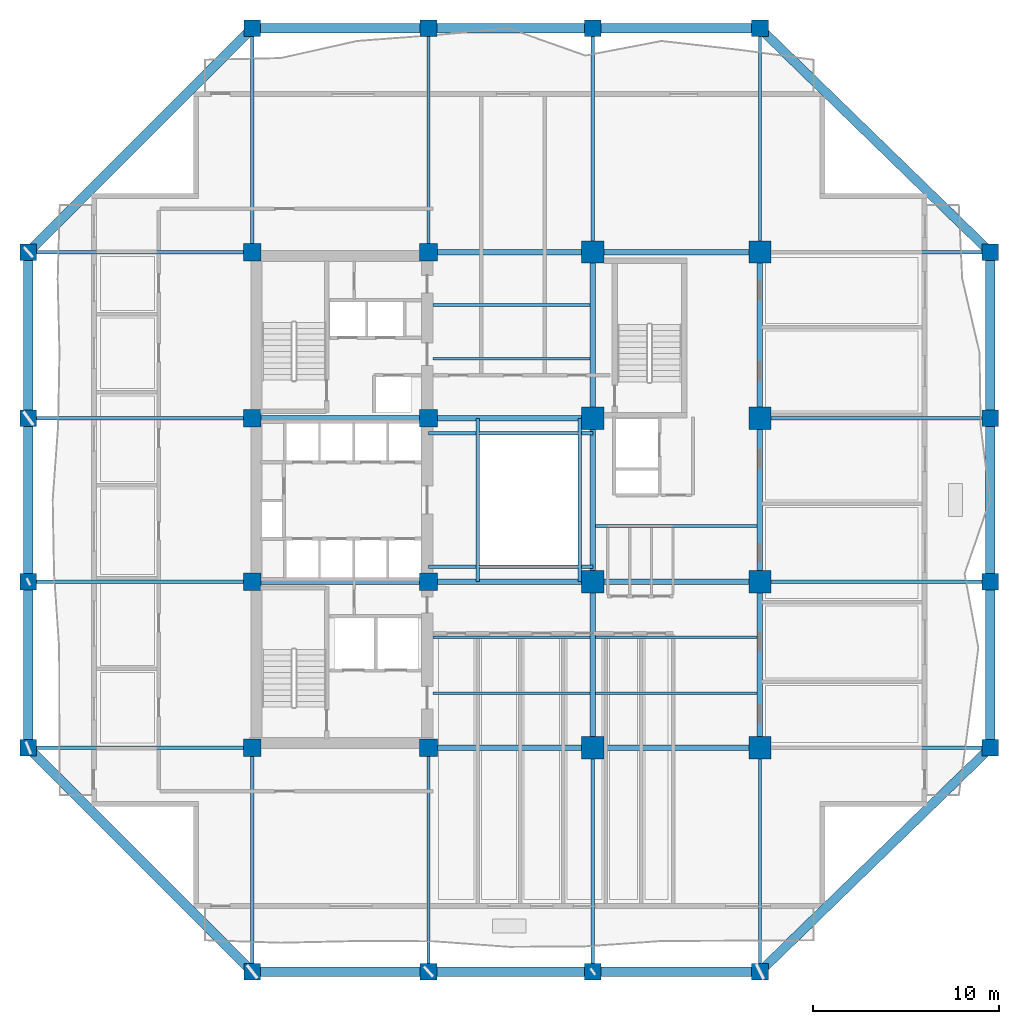
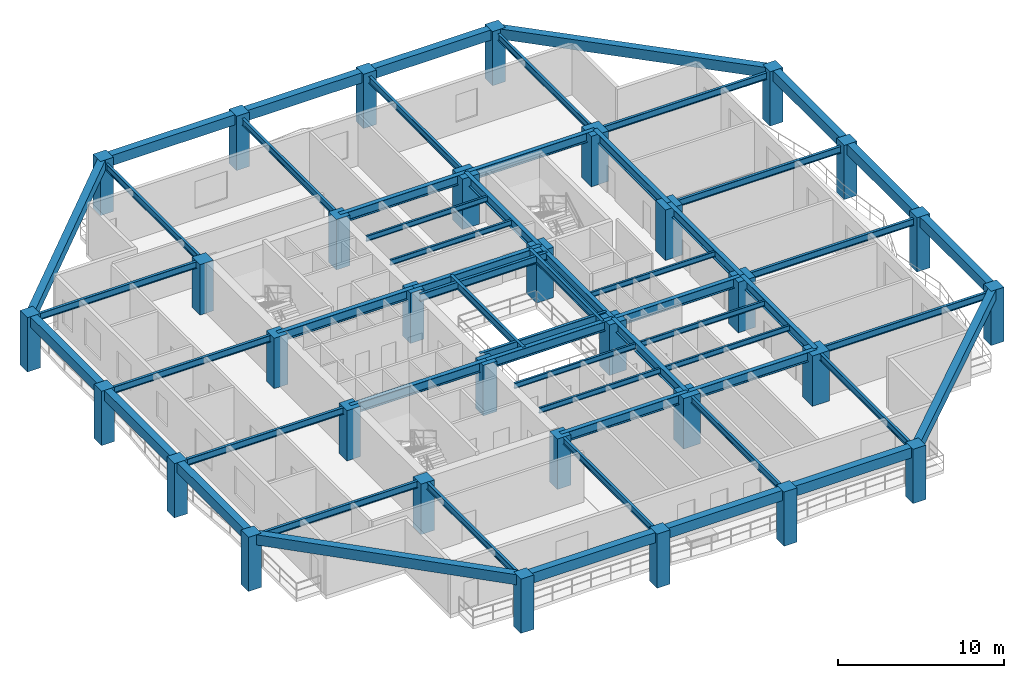
# One storey, part 1 of 14: 58 beams, 32 columns.
"""IFC4 building model written with IfcOpenShell, lengths in metres."""

from ifc_helpers import new_model, si_unit, direction, frame, origin, origin_2d, place, context, subcontext, project, spatial, rectangle, i_section, extrude, material, material_profile, profile_set, type_object, element, save


model = new_model("IFC4")

# Units and contexts
model_context = context("Model", 3, precision=1e-05, world=origin(), true_north=direction((0.0, 1.0)))
body_context = subcontext(model_context, "Body", "Model", "MODEL_VIEW")
ifc_project = project(units=[si_unit("LENGTHUNIT", "METRE"), si_unit("AREAUNIT", "SQUARE_METRE"), si_unit("VOLUMEUNIT", "CUBIC_METRE"), si_unit("PLANEANGLEUNIT", "RADIAN"), si_unit("MASSUNIT", "GRAM", prefix="KILO")], contexts=[model_context])

# Site, building, storey
site_placement = place(None, origin())
site = spatial("IfcSite", under=ifc_project, at=site_placement, CompositionType="ELEMENT")
building_placement = place(site_placement, origin())
building = spatial("IfcBuilding", under=site, at=building_placement, Name="Kundavana Baori Tower", CompositionType="ELEMENT")
storey_placement = place(building_placement, frame((0.0, 0.0, 74.0)))
storey = spatial("IfcBuildingStorey", under=building, at=storey_placement, Name="L17", CompositionType="ELEMENT", Elevation=74.0)

# Columns
ifc_material_1 = material(Name="Concrete C60/75", Category="concrete")
ifc_material_profile_1 = material_profile(ifc_material_1, rectangle(XDim=0.89990234375, YDim=0.89990234375, at=origin_2d()), Name="RC PF 900x900")
ifc_profile_set_1 = profile_set([ifc_material_profile_1], Name="Concrete C60/75")
column_type_1 = type_object("IfcColumnType", Name="COL-PF-900", PredefinedType="COLUMN", material=ifc_profile_set_1)
for number, where, z_axis, x_axis, name in (
    (1, (15.449951171875, 3.199951171875, 0.0), (0.0, 0.0, 1.0), (1.0, 0.0, 0.0), "L17 Stone-Clad Perimeter Frame Column PF-S1"),
    (2, (15.449951171875, 54.0, 0.0), (0.0, 0.0, 1.0), (1.0, 0.0, 0.0), "L17 Stone-Clad Perimeter Frame Column PF-N1"),
    (3, (24.949951171875, 3.199951171875, 0.0), (0.0, 0.0, 1.0), (1.0, 0.0, 0.0), "L17 Stone-Clad Perimeter Frame Column PF-S2"),
    (4, (24.949951171875, 54.0, 0.0), (0.0, 0.0, 1.0), (1.0, 0.0, 0.0), "L17 Stone-Clad Perimeter Frame Column PF-N2"),
    (5, (33.800048828125, 3.199951171875, 0.0), (0.0, 0.0, 1.0), (1.0, 0.0, 0.0), "L17 Stone-Clad Perimeter Frame Column PF-S3"),
    (6, (33.800048828125, 54.0, 0.0), (0.0, 0.0, 1.0), (1.0, 0.0, 0.0), "L17 Stone-Clad Perimeter Frame Column PF-N3"),
    (7, (42.800048828125, 3.199951171875, 0.0), (0.0, 0.0, 1.0), (1.0, 0.0, 0.0), "L17 Stone-Clad Perimeter Frame Column PF-S4"),
    (8, (42.800048828125, 54.0, 0.0), (0.0, 0.0, 1.0), (1.0, 0.0, 0.0), "L17 Stone-Clad Perimeter Frame Column PF-N4"),
    (9, (3.39990234375, 15.25, 0.0), (0.0, 0.0, 1.0), (1.0, 0.0, 0.0), "L17 Stone-Clad Perimeter Frame Column PF-W1"),
    (10, (55.199951171875, 15.25, 0.0), (0.0, 0.0, 1.0), (1.0, 0.0, 0.0), "L17 Stone-Clad Perimeter Frame Column PF-E1"),
    (11, (3.39990234375, 24.199951171875, 0.0), (0.0, 0.0, 1.0), (1.0, 0.0, 0.0), "L17 Stone-Clad Perimeter Frame Column PF-W2"),
    (12, (55.199951171875, 24.199951171875, 0.0), (0.0, 0.0, 1.0), (1.0, 0.0, 0.0), "L17 Stone-Clad Perimeter Frame Column PF-E2"),
    (13, (3.39990234375, 33.0, 0.0), (0.0, 0.0, 1.0), (1.0, 0.0, 0.0), "L17 Stone-Clad Perimeter Frame Column PF-W3"),
    (14, (55.199951171875, 33.0, 0.0), (0.0, 0.0, 1.0), (1.0, 0.0, 0.0), "L17 Stone-Clad Perimeter Frame Column PF-E3"),
    (15, (3.39990234375, 41.949951171875, 0.0), (0.0, 0.0, 1.0), (1.0, 0.0, 0.0), "L17 Stone-Clad Perimeter Frame Column PF-W4"),
    (16, (55.199951171875, 41.949951171875, 0.0), (0.0, 0.0, 1.0), (1.0, 0.0, 0.0), "L17 Stone-Clad Perimeter Frame Column PF-E4"),
):
    element("IfcColumn", number, at=place(storey_placement, frame(where, z_axis=z_axis, x_axis=x_axis)), inside=storey, type_object=column_type_1, Name=name, PredefinedType="COLUMN", context=body_context, shape_type="SweptSolid", body=[
        extrude(rectangle(XDim=0.89990234375, YDim=0.89990234375, at=origin_2d()), origin(), (0.0, 0.0, 1.0), 4.0),
    ])
ifc_material_2 = material(Name="Concrete C60/75", Category="concrete")
ifc_material_profile_2 = material_profile(ifc_material_2, rectangle(XDim=1.199951171875, YDim=1.199951171875, at=origin_2d()), Name="RC 1200x1200")
ifc_profile_set_2 = profile_set([ifc_material_profile_2], Name="Concrete C60/75")
column_type_2 = type_object("IfcColumnType", Name="COL-RC-1200", PredefinedType="COLUMN", material=ifc_profile_set_2)
for number, where, z_axis, x_axis, name in (
    (17, (33.800048828125, 15.25, 0.0), (0.0, 0.0, 1.0), (1.0, 0.0, 0.0), "L17 Interior Column IC-5C"),
    (18, (33.800048828125, 24.199951171875, 0.0), (0.0, 0.0, 1.0), (1.0, 0.0, 0.0), "L17 Interior Column IC-5D"),
    (19, (33.800048828125, 33.0, 0.0), (0.0, 0.0, 1.0), (1.0, 0.0, 0.0), "L17 Interior Column IC-5E"),
    (20, (33.800048828125, 41.949951171875, 0.0), (0.0, 0.0, 1.0), (1.0, 0.0, 0.0), "L17 Interior Column IC-5F"),
    (21, (42.800048828125, 15.25, 0.0), (0.0, 0.0, 1.0), (1.0, 0.0, 0.0), "L17 Interior Column IC-6C"),
    (22, (42.800048828125, 24.199951171875, 0.0), (0.0, 0.0, 1.0), (1.0, 0.0, 0.0), "L17 Interior Column IC-6D"),
    (23, (42.800048828125, 33.0, 0.0), (0.0, 0.0, 1.0), (1.0, 0.0, 0.0), "L17 Interior Column IC-6E"),
    (24, (42.800048828125, 41.949951171875, 0.0), (0.0, 0.0, 1.0), (1.0, 0.0, 0.0), "L17 Interior Column IC-6F"),
):
    element("IfcColumn", number, at=place(storey_placement, frame(where, z_axis=z_axis, x_axis=x_axis)), inside=storey, type_object=column_type_2, Name=name, PredefinedType="COLUMN", context=body_context, shape_type="SweptSolid", body=[
        extrude(rectangle(XDim=1.199951171875, YDim=1.199951171875, at=origin_2d()), origin(), (0.0, 0.0, 1.0), 3.719970703125),
    ])
ifc_material_3 = material(Name="Concrete C50/60", Category="concrete")
ifc_material_profile_3 = material_profile(ifc_material_3, rectangle(XDim=0.949951171875, YDim=0.949951171875, at=origin_2d()), Name="RC 950x950")
ifc_profile_set_3 = profile_set([ifc_material_profile_3], Name="Concrete C50/60")
column_type_3 = type_object("IfcColumnType", Name="COL-RC-950", PredefinedType="COLUMN", material=ifc_profile_set_3)
for number, where, z_axis, x_axis, name in (
    (25, (15.449951171875, 15.25, 0.0), (0.0, 0.0, 1.0), (1.0, 0.0, 0.0), "L17 Interior Column IC-3C"),
    (26, (15.449951171875, 24.199951171875, 0.0), (0.0, 0.0, 1.0), (1.0, 0.0, 0.0), "L17 Interior Column IC-3D"),
    (27, (15.449951171875, 33.0, 0.0), (0.0, 0.0, 1.0), (1.0, 0.0, 0.0), "L17 Interior Column IC-3E"),
    (28, (15.449951171875, 41.949951171875, 0.0), (0.0, 0.0, 1.0), (1.0, 0.0, 0.0), "L17 Interior Column IC-3F"),
    (29, (24.949951171875, 15.25, 0.0), (0.0, 0.0, 1.0), (1.0, 0.0, 0.0), "L17 Interior Column IC-4C"),
    (30, (24.949951171875, 24.199951171875, 0.0), (0.0, 0.0, 1.0), (1.0, 0.0, 0.0), "L17 Interior Column IC-4D"),
    (31, (24.949951171875, 33.0, 0.0), (0.0, 0.0, 1.0), (1.0, 0.0, 0.0), "L17 Interior Column IC-4E"),
    (32, (24.949951171875, 41.949951171875, 0.0), (0.0, 0.0, 1.0), (1.0, 0.0, 0.0), "L17 Interior Column IC-4F"),
):
    element("IfcColumn", number, at=place(storey_placement, frame(where, z_axis=z_axis, x_axis=x_axis)), inside=storey, type_object=column_type_3, Name=name, PredefinedType="COLUMN", context=body_context, shape_type="SweptSolid", body=[
        extrude(rectangle(XDim=0.949951171875, YDim=0.949951171875, at=origin_2d()), origin(), (0.0, 0.0, 1.0), 3.719970703125),
    ])

# Beams
ifc_material_4 = material(Name="Structural Steel S355JR", Category="steel")
ifc_material_profile_4 = material_profile(ifc_material_4, i_section(OverallWidth=0.139892578125, OverallDepth=0.39990234375, WebThickness=0.0087890625, FlangeThickness=0.01611328125, FilletRadius=0.013916015625, at=origin_2d()), Name="ISMB 400")
ifc_profile_set_4 = profile_set([ifc_material_profile_4], Name="Structural Steel S355JR")
beam_type_1 = type_object("IfcBeamType", Name="BM-JST-400", PredefinedType="JOIST", material=ifc_profile_set_4)
for number, where, z_axis, x_axis, name in (
    (33, (25.179931640625, 18.199951171875, 3.52001953125), (1.0, 0.0, 0.0), (0.0, 1.0, 0.0), "L17 Central Bay Composite Floor Joist C1"),
    (34, (25.179931640625, 21.199951171875, 3.52001953125), (1.0, 0.0, 0.0), (0.0, 1.0, 0.0), "L17 Central Bay Composite Floor Joist C2"),
    (35, (25.179931640625, 36.199951171875, 3.52001953125), (1.0, 0.0, 0.0), (0.0, 1.0, 0.0), "L17 Central Bay Composite Floor Joist C3"),
    (36, (25.179931640625, 39.10009765625, 3.52001953125), (1.0, 0.0, 0.0), (0.0, 1.0, 0.0), "L17 Central Bay Composite Floor Joist C4"),
):
    element("IfcBeam", number, at=place(storey_placement, frame(where, z_axis=z_axis, x_axis=x_axis)), inside=storey, type_object=beam_type_1, Name=name, PredefinedType="JOIST", context=body_context, shape_type="SweptSolid", body=[
        extrude(i_section(OverallWidth=0.139892578125, OverallDepth=0.39990234375, WebThickness=0.0087890625, FlangeThickness=0.01611328125, FilletRadius=0.013916015625, at=origin_2d()), origin(), (0.0, 0.0, 1.0), 8.469970703125),
    ])
for number, where, z_axis, x_axis, name in (
    (37, (33.949951171875, 18.199951171875, 3.52001953125), (1.0, 0.0, 0.0), (0.0, 1.0, 0.0), "L17 East Bay Composite Floor Joist E1"),
    (38, (33.949951171875, 21.199951171875, 3.52001953125), (1.0, 0.0, 0.0), (0.0, 1.0, 0.0), "L17 East Bay Composite Floor Joist E2"),
    (39, (33.949951171875, 27.199951171875, 3.52001953125), (1.0, 0.0, 0.0), (0.0, 1.0, 0.0), "L17 East Bay Composite Floor Joist E3"),
):
    element("IfcBeam", number, at=place(storey_placement, frame(where, z_axis=z_axis, x_axis=x_axis)), inside=storey, type_object=beam_type_1, Name=name, PredefinedType="JOIST", context=body_context, shape_type="SweptSolid", body=[
        extrude(i_section(OverallWidth=0.139892578125, OverallDepth=0.39990234375, WebThickness=0.0087890625, FlangeThickness=0.01611328125, FilletRadius=0.013916015625, at=origin_2d()), origin(), (0.0, 0.0, 1.0), 8.699951171875),
    ])
ifc_material_5 = material(Name="Concrete C50/60", Category="concrete")
ifc_material_profile_5 = material_profile(ifc_material_5, rectangle(XDim=0.5, YDim=0.75, at=origin_2d()), Name="RC BM 500x750")
ifc_profile_set_5 = profile_set([ifc_material_profile_5], Name="Concrete C50/60")
beam_type_2 = type_object("IfcBeamType", Name="BM-PF-750", PredefinedType="SPANDREL", material=ifc_profile_set_5)
beam_1_placement = place(storey_placement, frame((15.449951171875, 3.199951171875, 3.625), z_axis=(1.0, 0.0, 0.0), x_axis=(0.0, 1.0, 0.0)))
element("IfcBeam", 40, at=beam_1_placement, inside=storey, type_object=beam_type_2, Name="L17 Perimeter Frame Ring Beam S1", PredefinedType="SPANDREL", context=body_context, shape_type="SweptSolid", body=[
    extrude(rectangle(XDim=0.5, YDim=0.75, at=origin_2d()), origin(), (0.0, 0.0, 1.0), 9.5),
])
beam_2_placement = place(storey_placement, frame((24.949951171875, 3.199951171875, 3.625), z_axis=(1.0, 0.0, 0.0), x_axis=(0.0, 1.0, 0.0)))
element("IfcBeam", 41, at=beam_2_placement, inside=storey, type_object=beam_type_2, Name="L17 Perimeter Frame Ring Beam S2", PredefinedType="SPANDREL", context=body_context, shape_type="SweptSolid", body=[
    extrude(rectangle(XDim=0.5, YDim=0.75, at=origin_2d()), origin(), (0.0, 0.0, 1.0), 8.85009765625),
])
beam_3_placement = place(storey_placement, frame((33.800048828125, 3.199951171875, 3.625), z_axis=(1.0, 0.0, 0.0), x_axis=(0.0, 1.0, 0.0)))
element("IfcBeam", 42, at=beam_3_placement, inside=storey, type_object=beam_type_2, Name="L17 Perimeter Frame Ring Beam S3", PredefinedType="SPANDREL", context=body_context, shape_type="SweptSolid", body=[
    extrude(rectangle(XDim=0.5, YDim=0.75, at=origin_2d()), origin(), (0.0, 0.0, 1.0), 9.0),
])
beam_4_placement = place(storey_placement, frame((15.449951171875, 54.0, 3.625), z_axis=(1.0, 0.0, 0.0), x_axis=(0.0, 1.0, 0.0)))
element("IfcBeam", 43, at=beam_4_placement, inside=storey, type_object=beam_type_2, Name="L17 Perimeter Frame Ring Beam N1", PredefinedType="SPANDREL", context=body_context, shape_type="SweptSolid", body=[
    extrude(rectangle(XDim=0.5, YDim=0.75, at=origin_2d()), origin(), (0.0, 0.0, 1.0), 9.5),
])
beam_5_placement = place(storey_placement, frame((24.949951171875, 54.0, 3.625), z_axis=(1.0, 0.0, 0.0), x_axis=(0.0, 1.0, 0.0)))
element("IfcBeam", 44, at=beam_5_placement, inside=storey, type_object=beam_type_2, Name="L17 Perimeter Frame Ring Beam N2", PredefinedType="SPANDREL", context=body_context, shape_type="SweptSolid", body=[
    extrude(rectangle(XDim=0.5, YDim=0.75, at=origin_2d()), origin(), (0.0, 0.0, 1.0), 8.85009765625),
])
beam_6_placement = place(storey_placement, frame((33.800048828125, 54.0, 3.625), z_axis=(1.0, 0.0, 0.0), x_axis=(0.0, 1.0, 0.0)))
element("IfcBeam", 45, at=beam_6_placement, inside=storey, type_object=beam_type_2, Name="L17 Perimeter Frame Ring Beam N3", PredefinedType="SPANDREL", context=body_context, shape_type="SweptSolid", body=[
    extrude(rectangle(XDim=0.5, YDim=0.75, at=origin_2d()), origin(), (0.0, 0.0, 1.0), 9.0),
])
beam_7_placement = place(storey_placement, frame((3.39990234375, 15.25, 3.625), z_axis=(0.0, 1.0, 0.0), x_axis=(-1.0, 0.0, 0.0)))
element("IfcBeam", 46, at=beam_7_placement, inside=storey, type_object=beam_type_2, Name="L17 Perimeter Frame Ring Beam W1", PredefinedType="SPANDREL", context=body_context, shape_type="SweptSolid", body=[
    extrude(rectangle(XDim=0.5, YDim=0.75, at=origin_2d()), origin(), (0.0, 0.0, 1.0), 8.949951171875),
])
beam_8_placement = place(storey_placement, frame((3.39990234375, 24.199951171875, 3.625), z_axis=(0.0, 1.0, 0.0), x_axis=(-1.0, 0.0, 0.0)))
element("IfcBeam", 47, at=beam_8_placement, inside=storey, type_object=beam_type_2, Name="L17 Perimeter Frame Ring Beam W2", PredefinedType="SPANDREL", context=body_context, shape_type="SweptSolid", body=[
    extrude(rectangle(XDim=0.5, YDim=0.75, at=origin_2d()), origin(), (0.0, 0.0, 1.0), 8.800048828125),
])
for number, where, z_axis, x_axis, name in (
    (48, (3.39990234375, 33.0, 3.625), (0.0, 1.0, 0.0), (-1.0, 0.0, 0.0), "L17 Perimeter Frame Ring Beam W3"),
    (49, (55.199951171875, 15.25, 3.625), (0.0, 1.0, 0.0), (-1.0, 0.0, 0.0), "L17 Perimeter Frame Ring Beam E1"),
):
    element("IfcBeam", number, at=place(storey_placement, frame(where, z_axis=z_axis, x_axis=x_axis)), inside=storey, type_object=beam_type_2, Name=name, PredefinedType="SPANDREL", context=body_context, shape_type="SweptSolid", body=[
        extrude(rectangle(XDim=0.5, YDim=0.75, at=origin_2d()), origin(), (0.0, 0.0, 1.0), 8.949951171875),
    ])
beam_9_placement = place(storey_placement, frame((55.199951171875, 24.199951171875, 3.625), z_axis=(0.0, 1.0, 0.0), x_axis=(-1.0, 0.0, 0.0)))
element("IfcBeam", 50, at=beam_9_placement, inside=storey, type_object=beam_type_2, Name="L17 Perimeter Frame Ring Beam E2", PredefinedType="SPANDREL", context=body_context, shape_type="SweptSolid", body=[
    extrude(rectangle(XDim=0.5, YDim=0.75, at=origin_2d()), origin(), (0.0, 0.0, 1.0), 8.800048828125),
])
beam_10_placement = place(storey_placement, frame((55.199951171875, 33.0, 3.625), z_axis=(0.0, 1.0, 0.0), x_axis=(-1.0, 0.0, 0.0)))
element("IfcBeam", 51, at=beam_10_placement, inside=storey, type_object=beam_type_2, Name="L17 Perimeter Frame Ring Beam E3", PredefinedType="SPANDREL", context=body_context, shape_type="SweptSolid", body=[
    extrude(rectangle(XDim=0.5, YDim=0.75, at=origin_2d()), origin(), (0.0, 0.0, 1.0), 8.949951171875),
])
beam_11_placement = place(storey_placement, frame((15.449951171875, 3.199951171875, 3.625), z_axis=(-0.707106781187, 0.707106781187, 0.0), x_axis=(-0.707106781187, -0.707106781187, 0.0)))
element("IfcBeam", 52, at=beam_11_placement, inside=storey, type_object=beam_type_2, Name="L17 Notched Corner Perimeter Beam SW", PredefinedType="SPANDREL", context=body_context, shape_type="SweptSolid", body=[
    extrude(rectangle(XDim=0.5, YDim=0.75, at=origin_2d()), origin(), (0.0, 0.0, 1.0), 17.041259765625),
])
beam_12_placement = place(storey_placement, frame((42.800048828125, 3.199951171875, 3.625), z_axis=(0.717151334594, 0.696917472367, 0.0), x_axis=(-0.696917472367, 0.717151334594, 0.0)))
element("IfcBeam", 53, at=beam_12_placement, inside=storey, type_object=beam_type_2, Name="L17 Notched Corner Perimeter Beam SE", PredefinedType="SPANDREL", context=body_context, shape_type="SweptSolid", body=[
    extrude(rectangle(XDim=0.5, YDim=0.75, at=origin_2d()), origin(), (0.0, 0.0, 1.0), 17.29052734375),
])
beam_13_placement = place(storey_placement, frame((15.449951171875, 54.0, 3.625), z_axis=(-0.707106781187, -0.707106781187, 0.0), x_axis=(0.707106781187, -0.707106781187, 0.0)))
element("IfcBeam", 54, at=beam_13_placement, inside=storey, type_object=beam_type_2, Name="L17 Notched Corner Perimeter Beam NW", PredefinedType="SPANDREL", context=body_context, shape_type="SweptSolid", body=[
    extrude(rectangle(XDim=0.5, YDim=0.75, at=origin_2d()), origin(), (0.0, 0.0, 1.0), 17.041259765625),
])
beam_14_placement = place(storey_placement, frame((42.800048828125, 54.0, 3.625), z_axis=(0.717151334594, -0.696917472367, 0.0), x_axis=(0.696917472367, 0.717151334594, 0.0)))
element("IfcBeam", 55, at=beam_14_placement, inside=storey, type_object=beam_type_2, Name="L17 Notched Corner Perimeter Beam NE", PredefinedType="SPANDREL", context=body_context, shape_type="SweptSolid", body=[
    extrude(rectangle(XDim=0.5, YDim=0.75, at=origin_2d()), origin(), (0.0, 0.0, 1.0), 17.29052734375),
])
ifc_material_6 = material(Name="Structural Steel S355JR", Category="steel")
ifc_material_profile_6 = material_profile(ifc_material_6, i_section(OverallWidth=0.18994140625, OverallDepth=0.550048828125, WebThickness=0.01123046875, FlangeThickness=0.019287109375, FilletRadius=0.01806640625, at=origin_2d()), Name="ISMB 550")
ifc_profile_set_6 = profile_set([ifc_material_profile_6], Name="Structural Steel S355JR")
beam_type_3 = type_object("IfcBeamType", Name="BM-ST-550", PredefinedType="BEAM", material=ifc_profile_set_6)
for number, where, z_axis, x_axis, name in (
    (56, (27.60009765625, 24.199951171875, 3.445068359375), (0.0, 1.0, 0.0), (-1.0, 0.0, 0.0), "L17 Atrium West Edge Beam"),
    (57, (33.10009765625, 24.199951171875, 3.445068359375), (0.0, 1.0, 0.0), (-1.0, 0.0, 0.0), "L17 Atrium East Edge Beam"),
):
    element("IfcBeam", number, at=place(storey_placement, frame(where, z_axis=z_axis, x_axis=x_axis)), inside=storey, type_object=beam_type_3, Name=name, PredefinedType="BEAM", context=body_context, shape_type="SweptSolid", body=[
        extrude(i_section(OverallWidth=0.18994140625, OverallDepth=0.550048828125, WebThickness=0.01123046875, FlangeThickness=0.019287109375, FilletRadius=0.01806640625, at=origin_2d()), origin(), (0.0, 0.0, 1.0), 8.800048828125),
    ])
for number, where, z_axis, x_axis, name in (
    (58, (24.949951171875, 25.0, 3.445068359375), (1.0, 0.0, 0.0), (0.0, 1.0, 0.0), "L17 Atrium South Edge Beam"),
    (59, (24.949951171875, 32.199951171875, 3.445068359375), (1.0, 0.0, 0.0), (0.0, 1.0, 0.0), "L17 Atrium North Edge Beam"),
):
    element("IfcBeam", number, at=place(storey_placement, frame(where, z_axis=z_axis, x_axis=x_axis)), inside=storey, type_object=beam_type_3, Name=name, PredefinedType="BEAM", context=body_context, shape_type="SweptSolid", body=[
        extrude(i_section(OverallWidth=0.18994140625, OverallDepth=0.550048828125, WebThickness=0.01123046875, FlangeThickness=0.019287109375, FilletRadius=0.01806640625, at=origin_2d()), origin(), (0.0, 0.0, 1.0), 8.85009765625),
    ])
ifc_material_7 = material(Name="Structural Steel S355JR", Category="steel")
ifc_material_profile_7 = material_profile(ifc_material_7, i_section(OverallWidth=0.300048828125, OverallDepth=0.699951171875, WebThickness=0.014404296875, FlangeThickness=0.02392578125, FilletRadius=0.02392578125, at=origin_2d()), Name="NPB 700x300x170")
ifc_profile_set_7 = profile_set([ifc_material_profile_7], Name="Structural Steel S355JR")
beam_type_4 = type_object("IfcBeamType", Name="BM-ST-700", PredefinedType="BEAM", material=ifc_profile_set_7)
beam_15_placement = place(storey_placement, frame((24.949951171875, 15.25, 3.3701171875), z_axis=(1.0, 0.0, 0.0), x_axis=(0.0, 1.0, 0.0)))
element("IfcBeam", 60, at=beam_15_placement, inside=storey, type_object=beam_type_4, Name="L17 Primary Grid Girder GX-1-2", PredefinedType="BEAM", context=body_context, shape_type="SweptSolid", body=[
    extrude(i_section(OverallWidth=0.300048828125, OverallDepth=0.699951171875, WebThickness=0.014404296875, FlangeThickness=0.02392578125, FilletRadius=0.02392578125, at=origin_2d()), origin(), (0.0, 0.0, 1.0), 8.85009765625),
])
beam_16_placement = place(storey_placement, frame((33.800048828125, 15.25, 3.3701171875), z_axis=(1.0, 0.0, 0.0), x_axis=(0.0, 1.0, 0.0)))
element("IfcBeam", 61, at=beam_16_placement, inside=storey, type_object=beam_type_4, Name="L17 Primary Grid Girder GX-1-3", PredefinedType="BEAM", context=body_context, shape_type="SweptSolid", body=[
    extrude(i_section(OverallWidth=0.300048828125, OverallDepth=0.699951171875, WebThickness=0.014404296875, FlangeThickness=0.02392578125, FilletRadius=0.02392578125, at=origin_2d()), origin(), (0.0, 0.0, 1.0), 9.0),
])
beam_17_placement = place(storey_placement, frame((15.449951171875, 24.199951171875, 3.3701171875), z_axis=(1.0, 0.0, 0.0), x_axis=(0.0, 1.0, 0.0)))
element("IfcBeam", 62, at=beam_17_placement, inside=storey, type_object=beam_type_4, Name="L17 Primary Grid Girder GX-2-1", PredefinedType="BEAM", context=body_context, shape_type="SweptSolid", body=[
    extrude(i_section(OverallWidth=0.300048828125, OverallDepth=0.699951171875, WebThickness=0.014404296875, FlangeThickness=0.02392578125, FilletRadius=0.02392578125, at=origin_2d()), origin(), (0.0, 0.0, 1.0), 9.5),
])
beam_18_placement = place(storey_placement, frame((24.949951171875, 24.199951171875, 3.3701171875), z_axis=(1.0, 0.0, 0.0), x_axis=(0.0, 1.0, 0.0)))
element("IfcBeam", 63, at=beam_18_placement, inside=storey, type_object=beam_type_4, Name="L17 Primary Grid Girder GX-2-2", PredefinedType="BEAM", context=body_context, shape_type="SweptSolid", body=[
    extrude(i_section(OverallWidth=0.300048828125, OverallDepth=0.699951171875, WebThickness=0.014404296875, FlangeThickness=0.02392578125, FilletRadius=0.02392578125, at=origin_2d()), origin(), (0.0, 0.0, 1.0), 8.85009765625),
])
beam_19_placement = place(storey_placement, frame((33.800048828125, 24.199951171875, 3.3701171875), z_axis=(1.0, 0.0, 0.0), x_axis=(0.0, 1.0, 0.0)))
element("IfcBeam", 64, at=beam_19_placement, inside=storey, type_object=beam_type_4, Name="L17 Primary Grid Girder GX-2-3", PredefinedType="BEAM", context=body_context, shape_type="SweptSolid", body=[
    extrude(i_section(OverallWidth=0.300048828125, OverallDepth=0.699951171875, WebThickness=0.014404296875, FlangeThickness=0.02392578125, FilletRadius=0.02392578125, at=origin_2d()), origin(), (0.0, 0.0, 1.0), 9.0),
])
beam_20_placement = place(storey_placement, frame((15.449951171875, 33.0, 3.3701171875), z_axis=(1.0, 0.0, 0.0), x_axis=(0.0, 1.0, 0.0)))
element("IfcBeam", 65, at=beam_20_placement, inside=storey, type_object=beam_type_4, Name="L17 Primary Grid Girder GX-3-1", PredefinedType="BEAM", context=body_context, shape_type="SweptSolid", body=[
    extrude(i_section(OverallWidth=0.300048828125, OverallDepth=0.699951171875, WebThickness=0.014404296875, FlangeThickness=0.02392578125, FilletRadius=0.02392578125, at=origin_2d()), origin(), (0.0, 0.0, 1.0), 9.5),
])
for number, where, z_axis, x_axis, name in (
    (66, (24.949951171875, 33.0, 3.3701171875), (1.0, 0.0, 0.0), (0.0, 1.0, 0.0), "L17 Primary Grid Girder GX-3-2"),
    (67, (24.949951171875, 41.949951171875, 3.3701171875), (1.0, 0.0, 0.0), (0.0, 1.0, 0.0), "L17 Primary Grid Girder GX-4-2"),
):
    element("IfcBeam", number, at=place(storey_placement, frame(where, z_axis=z_axis, x_axis=x_axis)), inside=storey, type_object=beam_type_4, Name=name, PredefinedType="BEAM", context=body_context, shape_type="SweptSolid", body=[
        extrude(i_section(OverallWidth=0.300048828125, OverallDepth=0.699951171875, WebThickness=0.014404296875, FlangeThickness=0.02392578125, FilletRadius=0.02392578125, at=origin_2d()), origin(), (0.0, 0.0, 1.0), 8.85009765625),
    ])
beam_21_placement = place(storey_placement, frame((33.800048828125, 41.949951171875, 3.3701171875), z_axis=(1.0, 0.0, 0.0), x_axis=(0.0, 1.0, 0.0)))
element("IfcBeam", 68, at=beam_21_placement, inside=storey, type_object=beam_type_4, Name="L17 Primary Grid Girder GX-4-3", PredefinedType="BEAM", context=body_context, shape_type="SweptSolid", body=[
    extrude(i_section(OverallWidth=0.300048828125, OverallDepth=0.699951171875, WebThickness=0.014404296875, FlangeThickness=0.02392578125, FilletRadius=0.02392578125, at=origin_2d()), origin(), (0.0, 0.0, 1.0), 9.0),
])
beam_22_placement = place(storey_placement, frame((33.800048828125, 15.25, 3.3701171875), z_axis=(0.0, 1.0, 0.0), x_axis=(-1.0, 0.0, 0.0)))
element("IfcBeam", 69, at=beam_22_placement, inside=storey, type_object=beam_type_4, Name="L17 Primary Grid Girder GY-3-1", PredefinedType="BEAM", context=body_context, shape_type="SweptSolid", body=[
    extrude(i_section(OverallWidth=0.300048828125, OverallDepth=0.699951171875, WebThickness=0.014404296875, FlangeThickness=0.02392578125, FilletRadius=0.02392578125, at=origin_2d()), origin(), (0.0, 0.0, 1.0), 8.949951171875),
])
beam_23_placement = place(storey_placement, frame((33.800048828125, 24.199951171875, 3.3701171875), z_axis=(0.0, 1.0, 0.0), x_axis=(-1.0, 0.0, 0.0)))
element("IfcBeam", 70, at=beam_23_placement, inside=storey, type_object=beam_type_4, Name="L17 Primary Grid Girder GY-3-2", PredefinedType="BEAM", context=body_context, shape_type="SweptSolid", body=[
    extrude(i_section(OverallWidth=0.300048828125, OverallDepth=0.699951171875, WebThickness=0.014404296875, FlangeThickness=0.02392578125, FilletRadius=0.02392578125, at=origin_2d()), origin(), (0.0, 0.0, 1.0), 8.800048828125),
])
for number, where, z_axis, x_axis, name in (
    (71, (33.800048828125, 33.0, 3.3701171875), (0.0, 1.0, 0.0), (-1.0, 0.0, 0.0), "L17 Primary Grid Girder GY-3-3"),
    (72, (42.800048828125, 15.25, 3.3701171875), (0.0, 1.0, 0.0), (-1.0, 0.0, 0.0), "L17 Primary Grid Girder GY-4-1"),
):
    element("IfcBeam", number, at=place(storey_placement, frame(where, z_axis=z_axis, x_axis=x_axis)), inside=storey, type_object=beam_type_4, Name=name, PredefinedType="BEAM", context=body_context, shape_type="SweptSolid", body=[
        extrude(i_section(OverallWidth=0.300048828125, OverallDepth=0.699951171875, WebThickness=0.014404296875, FlangeThickness=0.02392578125, FilletRadius=0.02392578125, at=origin_2d()), origin(), (0.0, 0.0, 1.0), 8.949951171875),
    ])
beam_24_placement = place(storey_placement, frame((42.800048828125, 24.199951171875, 3.3701171875), z_axis=(0.0, 1.0, 0.0), x_axis=(-1.0, 0.0, 0.0)))
element("IfcBeam", 73, at=beam_24_placement, inside=storey, type_object=beam_type_4, Name="L17 Primary Grid Girder GY-4-2", PredefinedType="BEAM", context=body_context, shape_type="SweptSolid", body=[
    extrude(i_section(OverallWidth=0.300048828125, OverallDepth=0.699951171875, WebThickness=0.014404296875, FlangeThickness=0.02392578125, FilletRadius=0.02392578125, at=origin_2d()), origin(), (0.0, 0.0, 1.0), 8.800048828125),
])
beam_25_placement = place(storey_placement, frame((42.800048828125, 33.0, 3.3701171875), z_axis=(0.0, 1.0, 0.0), x_axis=(-1.0, 0.0, 0.0)))
element("IfcBeam", 74, at=beam_25_placement, inside=storey, type_object=beam_type_4, Name="L17 Primary Grid Girder GY-4-3", PredefinedType="BEAM", context=body_context, shape_type="SweptSolid", body=[
    extrude(i_section(OverallWidth=0.300048828125, OverallDepth=0.699951171875, WebThickness=0.014404296875, FlangeThickness=0.02392578125, FilletRadius=0.02392578125, at=origin_2d()), origin(), (0.0, 0.0, 1.0), 8.949951171875),
])
ifc_material_8 = material(Name="Structural Steel S355JR", Category="steel")
ifc_material_profile_8 = material_profile(ifc_material_8, i_section(OverallWidth=0.179931640625, OverallDepth=0.5, WebThickness=0.01025390625, FlangeThickness=0.01708984375, FilletRadius=0.01708984375, at=origin_2d()), Name="ISMB 500")
ifc_profile_set_8 = profile_set([ifc_material_profile_8], Name="Structural Steel S355JR")
beam_type_5 = type_object("IfcBeamType", Name="BM-TIE-500", PredefinedType="BEAM", material=ifc_profile_set_8)
for number, where, z_axis, x_axis, name in (
    (75, (15.449951171875, 15.25, 3.469970703125), (0.0, -1.0, 0.0), (1.0, 0.0, 0.0), "L17 South Radial Loggia Tie Beam S1"),
    (76, (15.449951171875, 41.949951171875, 3.469970703125), (0.0, 1.0, 0.0), (-1.0, 0.0, 0.0), "L17 North Radial Loggia Tie Beam N1"),
    (77, (24.949951171875, 15.25, 3.469970703125), (0.0, -1.0, 0.0), (1.0, 0.0, 0.0), "L17 South Radial Loggia Tie Beam S2"),
    (78, (24.949951171875, 41.949951171875, 3.469970703125), (0.0, 1.0, 0.0), (-1.0, 0.0, 0.0), "L17 North Radial Loggia Tie Beam N2"),
    (79, (33.800048828125, 15.25, 3.469970703125), (0.0, -1.0, 0.0), (1.0, 0.0, 0.0), "L17 South Radial Loggia Tie Beam S3"),
    (80, (33.800048828125, 41.949951171875, 3.469970703125), (0.0, 1.0, 0.0), (-1.0, 0.0, 0.0), "L17 North Radial Loggia Tie Beam N3"),
    (81, (42.800048828125, 15.25, 3.469970703125), (0.0, -1.0, 0.0), (1.0, 0.0, 0.0), "L17 South Radial Loggia Tie Beam S4"),
    (82, (42.800048828125, 41.949951171875, 3.469970703125), (0.0, 1.0, 0.0), (-1.0, 0.0, 0.0), "L17 North Radial Loggia Tie Beam N4"),
    (83, (15.449951171875, 15.25, 3.469970703125), (-1.0, 0.0, 0.0), (0.0, -1.0, 0.0), "L17 West Radial Loggia Tie Beam W1"),
):
    element("IfcBeam", number, at=place(storey_placement, frame(where, z_axis=z_axis, x_axis=x_axis)), inside=storey, type_object=beam_type_5, Name=name, PredefinedType="BEAM", context=body_context, shape_type="SweptSolid", body=[
        extrude(i_section(OverallWidth=0.179931640625, OverallDepth=0.5, WebThickness=0.01025390625, FlangeThickness=0.01708984375, FilletRadius=0.01708984375, at=origin_2d()), origin(), (0.0, 0.0, 1.0), 12.050048828125),
    ])
beam_26_placement = place(storey_placement, frame((42.800048828125, 15.25, 3.469970703125), z_axis=(1.0, 0.0, 0.0), x_axis=(0.0, 1.0, 0.0)))
element("IfcBeam", 84, at=beam_26_placement, inside=storey, type_object=beam_type_5, Name="L17 East Radial Loggia Tie Beam E1", PredefinedType="BEAM", context=body_context, shape_type="SweptSolid", body=[
    extrude(i_section(OverallWidth=0.179931640625, OverallDepth=0.5, WebThickness=0.01025390625, FlangeThickness=0.01708984375, FilletRadius=0.01708984375, at=origin_2d()), origin(), (0.0, 0.0, 1.0), 12.39990234375),
])
beam_27_placement = place(storey_placement, frame((15.449951171875, 24.199951171875, 3.469970703125), z_axis=(-1.0, 0.0, 0.0), x_axis=(0.0, -1.0, 0.0)))
element("IfcBeam", 85, at=beam_27_placement, inside=storey, type_object=beam_type_5, Name="L17 West Radial Loggia Tie Beam W2", PredefinedType="BEAM", context=body_context, shape_type="SweptSolid", body=[
    extrude(i_section(OverallWidth=0.179931640625, OverallDepth=0.5, WebThickness=0.01025390625, FlangeThickness=0.01708984375, FilletRadius=0.01708984375, at=origin_2d()), origin(), (0.0, 0.0, 1.0), 12.050048828125),
])
beam_28_placement = place(storey_placement, frame((42.800048828125, 24.199951171875, 3.469970703125), z_axis=(1.0, 0.0, 0.0), x_axis=(0.0, 1.0, 0.0)))
element("IfcBeam", 86, at=beam_28_placement, inside=storey, type_object=beam_type_5, Name="L17 East Radial Loggia Tie Beam E2", PredefinedType="BEAM", context=body_context, shape_type="SweptSolid", body=[
    extrude(i_section(OverallWidth=0.179931640625, OverallDepth=0.5, WebThickness=0.01025390625, FlangeThickness=0.01708984375, FilletRadius=0.01708984375, at=origin_2d()), origin(), (0.0, 0.0, 1.0), 12.39990234375),
])
beam_29_placement = place(storey_placement, frame((15.449951171875, 33.0, 3.469970703125), z_axis=(-1.0, 0.0, 0.0), x_axis=(0.0, -1.0, 0.0)))
element("IfcBeam", 87, at=beam_29_placement, inside=storey, type_object=beam_type_5, Name="L17 West Radial Loggia Tie Beam W3", PredefinedType="BEAM", context=body_context, shape_type="SweptSolid", body=[
    extrude(i_section(OverallWidth=0.179931640625, OverallDepth=0.5, WebThickness=0.01025390625, FlangeThickness=0.01708984375, FilletRadius=0.01708984375, at=origin_2d()), origin(), (0.0, 0.0, 1.0), 12.050048828125),
])
beam_30_placement = place(storey_placement, frame((42.800048828125, 33.0, 3.469970703125), z_axis=(1.0, 0.0, 0.0), x_axis=(0.0, 1.0, 0.0)))
element("IfcBeam", 88, at=beam_30_placement, inside=storey, type_object=beam_type_5, Name="L17 East Radial Loggia Tie Beam E3", PredefinedType="BEAM", context=body_context, shape_type="SweptSolid", body=[
    extrude(i_section(OverallWidth=0.179931640625, OverallDepth=0.5, WebThickness=0.01025390625, FlangeThickness=0.01708984375, FilletRadius=0.01708984375, at=origin_2d()), origin(), (0.0, 0.0, 1.0), 12.39990234375),
])
beam_31_placement = place(storey_placement, frame((15.449951171875, 41.949951171875, 3.469970703125), z_axis=(-1.0, 0.0, 0.0), x_axis=(0.0, -1.0, 0.0)))
element("IfcBeam", 89, at=beam_31_placement, inside=storey, type_object=beam_type_5, Name="L17 West Radial Loggia Tie Beam W4", PredefinedType="BEAM", context=body_context, shape_type="SweptSolid", body=[
    extrude(i_section(OverallWidth=0.179931640625, OverallDepth=0.5, WebThickness=0.01025390625, FlangeThickness=0.01708984375, FilletRadius=0.01708984375, at=origin_2d()), origin(), (0.0, 0.0, 1.0), 12.050048828125),
])
beam_32_placement = place(storey_placement, frame((42.800048828125, 41.949951171875, 3.469970703125), z_axis=(1.0, 0.0, 0.0), x_axis=(0.0, 1.0, 0.0)))
element("IfcBeam", 90, at=beam_32_placement, inside=storey, type_object=beam_type_5, Name="L17 East Radial Loggia Tie Beam E4", PredefinedType="BEAM", context=body_context, shape_type="SweptSolid", body=[
    extrude(i_section(OverallWidth=0.179931640625, OverallDepth=0.5, WebThickness=0.01025390625, FlangeThickness=0.01708984375, FilletRadius=0.01708984375, at=origin_2d()), origin(), (0.0, 0.0, 1.0), 12.39990234375),
])

save(model, "model.ifc")
